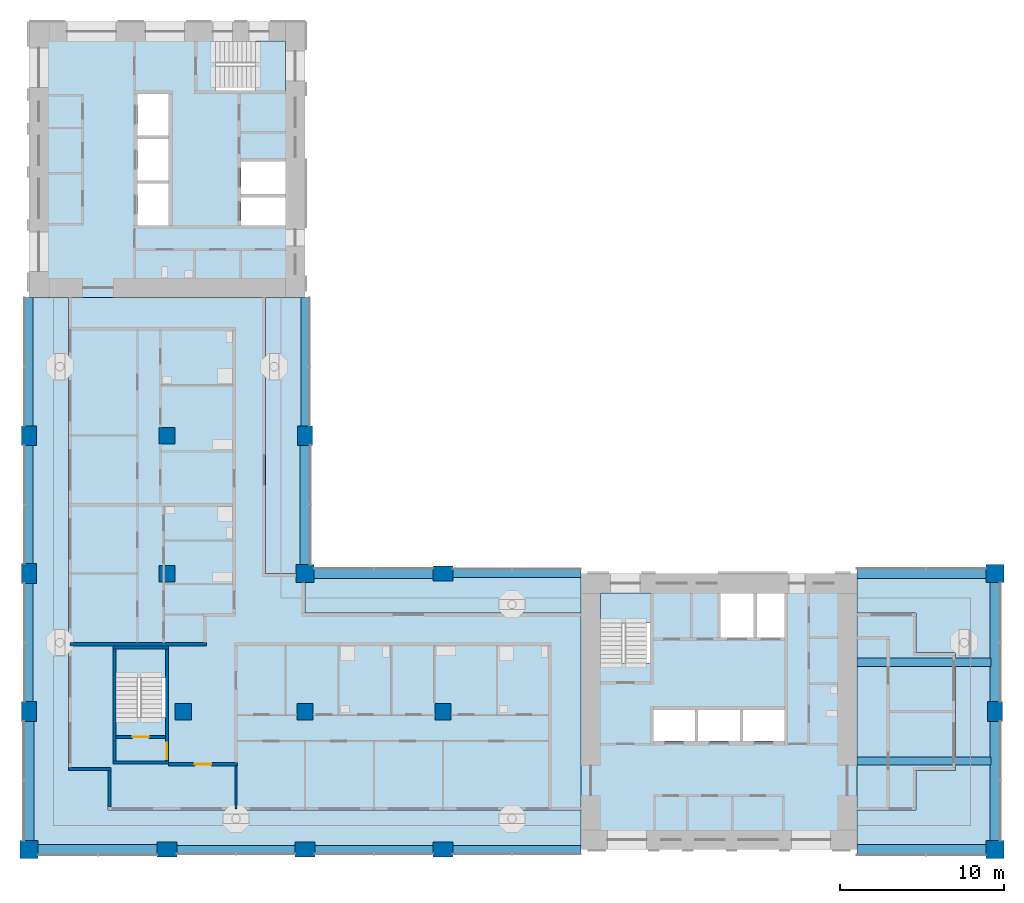
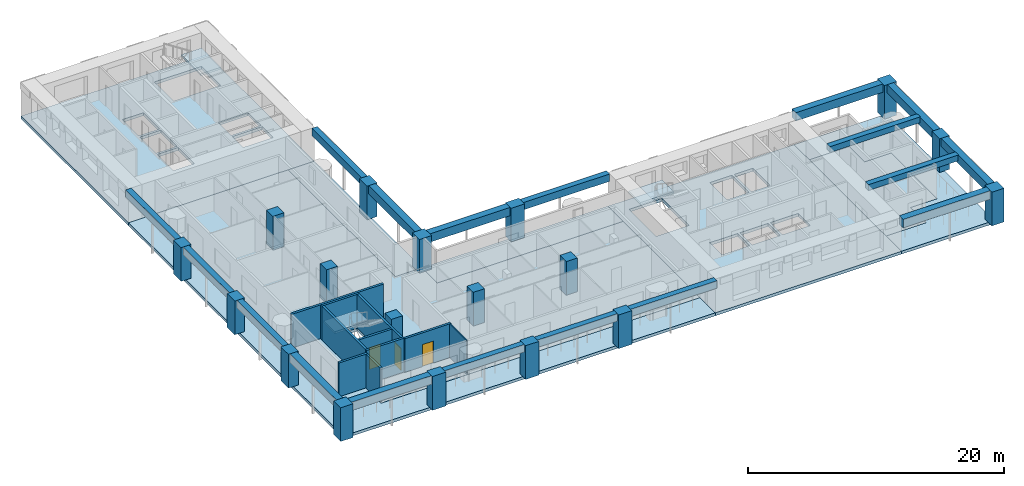
# One storey, part 1 of 13: 18 beams, 18 columns, 12 slabs, 10 walls, 3 doors, 3 openings, 3 elements without a shape of their own.
"""IFC4 building model written with IfcOpenShell, lengths in metres."""

import ifcopenshell
import ifcopenshell.guid

model = None  # the IFC model being written
_history = None  # IfcOwnerHistory: only IFC2X3 demands one
_inside = {}  # id of a spatial element -> (the spatial element, [elements in it])
_under = {}  # id of a project, library or spatial element -> (it, [spatial elements below it])
_declared = {}  # id of a project -> (the project, [libraries it declares])
_typed = {}  # id of a type object -> (the type object, [elements of that type])
_made_of = {}  # id of a material, layer set ... -> (it, [elements and type objects made of it])


def new_model(schema):
    """Start an empty IFC model of exactly this schema.

    Asked for "IFC4X3", IfcOpenShell would pick the latest addendum, in which some entities
    have other attributes; the version numbers below select the first issue.
    IFC2X3 requires an IfcOwnerHistory on every rooted entity: one is made here for all.
    """
    global model, _history
    if schema == "IFC4X3":
        model = ifcopenshell.file(schema_version=(4, 3, 0, 0))
    else:
        model = ifcopenshell.file(schema=schema)
    _inside.clear()
    _under.clear()
    _declared.clear()
    _typed.clear()
    _made_of.clear()
    _history = None
    if model.schema == "IFC2X3":
        org = make("IfcOrganization", Name="unknown")
        user = make(
            "IfcPersonAndOrganization",
            ThePerson=make("IfcPerson", FamilyName="unknown"),
            TheOrganization=org,
        )
        app = make(
            "IfcApplication",
            ApplicationDeveloper=org,
            Version="unknown",
            ApplicationFullName="unknown",
            ApplicationIdentifier="unknown",
        )
        _history = make(
            "IfcOwnerHistory",
            OwningUser=user,
            OwningApplication=app,
            ChangeAction="ADDED",
            CreationDate=0,
        )
    return model


def make(cls, **values):
    """One entity of the class cls with the attributes given. An attribute that is None is left unset."""
    return model.create_entity(
        cls, **{name: value for name, value in values.items() if value is not None}
    )


def rooted(cls, **values):
    """An entity with a GlobalId (a new one), such as an element, a storey or a relation."""
    return make(cls, GlobalId=ifcopenshell.guid.new(), OwnerHistory=_history, **values)


def si_unit(unit_type, name, prefix=None):
    """IfcSIUnit, for example si_unit("LENGTHUNIT", "METRE", prefix="MILLI")."""
    return make("IfcSIUnit", UnitType=unit_type, Prefix=prefix, Name=name)


def assignment(units):
    """IfcUnitAssignment: the units of a project."""
    return None if units is None else make("IfcUnitAssignment", Units=units)


def point(xyz):
    """IfcCartesianPoint."""
    return None if xyz is None else make("IfcCartesianPoint", Coordinates=xyz)


def direction(xyz):
    """IfcDirection."""
    return None if xyz is None else make("IfcDirection", DirectionRatios=xyz)


def frame(location, z_axis=None, x_axis=None):
    """IfcAxis2Placement3D, a coordinate frame: its origin and axes. An axis left out is left unset."""
    return make(
        "IfcAxis2Placement3D",
        Location=point(location),
        Axis=direction(z_axis),
        RefDirection=direction(x_axis),
    )


def frame_2d(location, x_axis=None):
    """IfcAxis2Placement2D, a coordinate frame in the plane: its origin and x axis."""
    return make(
        "IfcAxis2Placement2D", Location=point(location), RefDirection=direction(x_axis)
    )


def origin():
    """The frame at (0, 0, 0) with its axes left unset."""
    return frame((0.0, 0.0, 0.0))


def origin_2d():
    """The frame at (0, 0) in the plane with its x axis left unset."""
    return frame_2d((0.0, 0.0))


def place(relative_to, where):
    """IfcLocalPlacement: puts the frame where relative to a parent placement (None: the world)."""
    return make(
        "IfcLocalPlacement", PlacementRelTo=relative_to, RelativePlacement=where
    )


def context(
    kind, dimensions, precision=None, world=None, true_north=None, identifier=None
):
    """IfcGeometricRepresentationContext, for example the 3D "Model" context."""
    return make(
        "IfcGeometricRepresentationContext",
        ContextIdentifier=identifier,
        ContextType=kind,
        CoordinateSpaceDimension=dimensions,
        Precision=precision,
        WorldCoordinateSystem=world,
        TrueNorth=true_north,
    )


def subcontext(parent, identifier, kind, view, scale=None):
    """IfcGeometricRepresentationSubContext, for example "Body" below "Model"."""
    return make(
        "IfcGeometricRepresentationSubContext",
        ContextIdentifier=identifier,
        ContextType=kind,
        ParentContext=parent,
        TargetScale=scale,
        TargetView=view,
    )


def project(units=None, contexts=None):
    """IfcProject with its units and contexts."""
    return rooted(
        "IfcProject",
        Name="project",
        RepresentationContexts=contexts,
        UnitsInContext=assignment(units),
    )


def spatial(cls, under=None, at=None, **own):
    """A site, building, storey or space (cls), placed at a placement, below another one or the project."""
    s = rooted(cls, ObjectPlacement=at, **own)
    if under is not None:
        _under.setdefault(under.id(), (under, []))[1].append(s)
    return s


def polyline(points):
    """IfcPolyline through the points."""
    return make("IfcPolyline", Points=[point(p) for p in points])


def profile(cls, at=None, kind="AREA", **sizes):
    """A parametric profile (cls). Its sizes go by their IFC names, for example OverallWidth=200.0."""
    return make(cls, ProfileType=kind, Position=at, **sizes)


def rectangle(**sizes):
    """IfcRectangleProfileDef."""
    return profile("IfcRectangleProfileDef", **sizes)


def outline(outer, holes=None, kind="AREA"):
    """IfcArbitraryClosedProfileDef: a profile drawn as a closed curve; with holes, ...WithVoids."""
    if holes is None:
        return make("IfcArbitraryClosedProfileDef", ProfileType=kind, OuterCurve=outer)
    return make(
        "IfcArbitraryProfileDefWithVoids",
        ProfileType=kind,
        OuterCurve=outer,
        InnerCurves=holes,
    )


def extrude(swept, where, along, depth):
    """IfcExtrudedAreaSolid: the profile swept, set in the frame where, extruded along a direction by depth."""
    return make(
        "IfcExtrudedAreaSolid",
        SweptArea=swept,
        Position=where,
        ExtrudedDirection=direction(along),
        Depth=depth,
    )


def shape(context_of_items, identifier, shape_type, items):
    """IfcShapeRepresentation: the items that make up one representation, for example the "Body"."""
    return make(
        "IfcShapeRepresentation",
        ContextOfItems=context_of_items,
        RepresentationIdentifier=identifier,
        RepresentationType=shape_type,
        Items=items,
    )


def material(Name=None, Category=None):
    """IfcMaterial."""
    return make("IfcMaterial", Name=Name, Category=Category)


def layer(
    of_material, thickness, ventilated=None, Name=None, Category=None, Priority=None
):
    """IfcMaterialLayer: one layer of a wall or slab, of a material (None: an air gap)."""
    return make(
        "IfcMaterialLayer",
        Material=of_material,
        LayerThickness=thickness,
        IsVentilated=ventilated,
        Name=Name,
        Category=Category,
        Priority=Priority,
    )


def layer_set(layers, Name=None):
    """IfcMaterialLayerSet."""
    return make("IfcMaterialLayerSet", MaterialLayers=layers, LayerSetName=Name)


def material_profile(
    of_material, cross_section, Name=None, Category=None, Priority=None
):
    """IfcMaterialProfile: a cross section and its material."""
    return make(
        "IfcMaterialProfile",
        Name=Name,
        Material=of_material,
        Profile=cross_section,
        Priority=Priority,
        Category=Category,
    )


def profile_set(profiles, Name=None, composite=None):
    """IfcMaterialProfileSet."""
    return make(
        "IfcMaterialProfileSet",
        Name=Name,
        MaterialProfiles=profiles,
        CompositeProfile=composite,
    )


def made_of(thing, what):
    """Note that an element or type object is made of a material, layer set ...; save() writes the relation."""
    if what is not None:
        _made_of.setdefault(what.id(), (what, []))[1].append(thing)
    return thing


def type_object(cls, material=None, **own):
    """A type object (cls), such as IfcWallType, which elements share."""
    return made_of(rooted(cls, **own), material)


def element(
    cls,
    number,
    at=None,
    inside=None,
    cuts=None,
    type_object=None,
    material=None,
    context=None,
    identifier="Body",
    shape_type=None,
    held_by="IfcProductDefinitionShape",
    body=None,
    shapes=None,
    **own,
):
    """One element of the class cls, such as IfcWall. Its Tag is "e" and its number.

    at: its placement. inside: the storey or other place that contains it. cuts: it is an
    opening in that element (IfcRelVoidsElement). A single representation is given by context,
    identifier, shape_type and body (its items); several are given by shapes. held_by: the class
    of the entity that holds the representations. save() writes the other relations.
    """
    e = rooted(cls, Tag="e%d" % number, ObjectPlacement=at, **own)
    if body is not None:
        shapes = [shape(context, identifier, shape_type, body)]
    if shapes is not None:
        e.Representation = make(held_by, Representations=shapes)
    if inside is not None:
        _inside.setdefault(inside.id(), (inside, []))[1].append(e)
    if cuts is not None:
        rooted(
            "IfcRelVoidsElement", RelatingBuildingElement=cuts, RelatedOpeningElement=e
        )
    if type_object is not None:
        _typed.setdefault(type_object.id(), (type_object, []))[1].append(e)
    return made_of(e, material)


def fill(opening, filler):
    """IfcRelFillsElement: the door or window that sits in an opening."""
    return rooted(
        "IfcRelFillsElement",
        RelatingOpeningElement=opening,
        RelatedBuildingElement=filler,
    )


def aggregate(whole, parts):
    """IfcRelAggregates: a whole, such as a stair, and the parts it consists of."""
    return rooted("IfcRelAggregates", RelatingObject=whole, RelatedObjects=parts)


def save(model, path):
    """Write the relations noted so far, then the file.

    IfcRelAggregates (storeys below a building ...), IfcRelContainedInSpatialStructure (elements
    in a storey), IfcRelDefinesByType, IfcRelAssociatesMaterial and IfcRelDeclares: one each for
    every whole, place, type object, material and project.
    """
    for whole, parts in _under.values():
        aggregate(whole, parts)
    for where, things in _inside.values():
        rooted(
            "IfcRelContainedInSpatialStructure",
            RelatedElements=things,
            RelatingStructure=where,
        )
    for kind, things in _typed.values():
        rooted("IfcRelDefinesByType", RelatedObjects=things, RelatingType=kind)
    for what, things in _made_of.values():
        rooted("IfcRelAssociatesMaterial", RelatedObjects=things, RelatingMaterial=what)
    for by, libraries in _declared.values():
        rooted("IfcRelDeclares", RelatingContext=by, RelatedDefinitions=libraries)
    model.write(path)


model = new_model("IFC4")

# Units and contexts
model_context = context("Model", 3, precision=1e-05, world=origin(), true_north=direction((0.0, 1.0)))
body_context = subcontext(model_context, "Body", "Model", "MODEL_VIEW")
ifc_project = project(units=[si_unit("LENGTHUNIT", "METRE"), si_unit("AREAUNIT", "SQUARE_METRE"), si_unit("VOLUMEUNIT", "CUBIC_METRE"), si_unit("PLANEANGLEUNIT", "RADIAN"), si_unit("MASSUNIT", "GRAM", prefix="KILO")], contexts=[model_context])

# Site, building, storey
site_placement = place(None, origin())
site = spatial("IfcSite", under=ifc_project, at=site_placement, CompositionType="ELEMENT")
building_placement = place(site_placement, origin())
building = spatial("IfcBuilding", under=site, at=building_placement, Name="Vermilion Gate Residences", CompositionType="ELEMENT")
storey_placement = place(building_placement, frame((0.0, 0.0, 154.699951171875)))
storey = spatial("IfcBuildingStorey", under=building, at=storey_placement, Name="L39", CompositionType="ELEMENT", Elevation=154.699951171875)

# Columns
ifc_material_1 = material(Name="Concrete C60", Category="concrete")
ifc_material_profile_1 = material_profile(ifc_material_1, rectangle(XDim=1.0, YDim=1.0, at=origin_2d()), Name="RC-1000x1000")
ifc_profile_set_1 = profile_set([ifc_material_profile_1], Name="Concrete C60")
column_type_1 = type_object("IfcColumnType", Name="RC COLUMN 1000 X 1000 C60", PredefinedType="COLUMN", material=ifc_profile_set_1)
for number, where, z_axis, x_axis, name in (
    (1, (17.800048828125, 16.800048828125, 0.0), (0.0, 0.0, 1.0), (1.0, 0.0, 0.0), "Column 3-C L39"),
    (2, (16.800048828125, 25.199951171875, 0.0), (0.0, 0.0, 1.0), (1.0, 0.0, 0.0), "Column 3-D L39"),
    (3, (16.800048828125, 33.60009765625, 0.0), (0.0, 0.0, 1.0), (1.0, 0.0, 0.0), "Column 3-E L39"),
    (4, (25.199951171875, 16.800048828125, 0.0), (0.0, 0.0, 1.0), (1.0, 0.0, 0.0), "Column 4-C L39"),
    (5, (33.60009765625, 16.800048828125, 0.0), (0.0, 0.0, 1.0), (1.0, 0.0, 0.0), "Column 5-C L39"),
):
    element("IfcColumn", number, at=place(storey_placement, frame(where, z_axis=z_axis, x_axis=x_axis)), inside=storey, type_object=column_type_1, Name=name, PredefinedType="COLUMN", context=body_context, shape_type="SweptSolid", body=[
        extrude(rectangle(XDim=1.0, YDim=1.0, at=origin_2d()), origin(), (0.0, 0.0, 1.0), 3.219970703125),
    ])
ifc_material_2 = material(Name="Concrete C60", Category="concrete")
ifc_material_profile_2 = material_profile(ifc_material_2, rectangle(XDim=1.10009765625, YDim=1.10009765625, at=origin_2d()), Name="RC-1100x1100")
ifc_profile_set_2 = profile_set([ifc_material_profile_2], Name="Concrete C60")
column_type_2 = type_object("IfcColumnType", Name="RC COLUMN 1100 X 1100 C60", PredefinedType="COLUMN", material=ifc_profile_set_2)
for number, where, z_axis, x_axis, name in (
    (6, (8.39990234375, 8.39990234375, 0.0), (0.0, 0.0, 1.0), (1.0, 0.0, 0.0), "Column 2-B L39"),
    (7, (25.199951171875, 25.199951171875, 0.0), (0.0, 0.0, 1.0), (1.0, 0.0, 0.0), "Column 4-D L39"),
    (8, (67.199951171875, 8.39990234375, 0.0), (0.0, 0.0, 1.0), (1.0, 0.0, 0.0), "Column 9-B L39"),
    (9, (67.199951171875, 25.199951171875, 0.0), (0.0, 0.0, 1.0), (1.0, 0.0, 0.0), "Column 9-D L39"),
):
    element("IfcColumn", number, at=place(storey_placement, frame(where, z_axis=z_axis, x_axis=x_axis)), inside=storey, type_object=column_type_2, Name=name, PredefinedType="COLUMN", context=body_context, shape_type="SweptSolid", body=[
        extrude(rectangle(XDim=1.10009765625, YDim=1.10009765625, at=origin_2d()), origin(), (0.0, 0.0, 1.0), 3.219970703125),
    ])
ifc_material_3 = material(Name="Concrete C60", Category="concrete")
ifc_material_profile_3 = material_profile(ifc_material_3, rectangle(XDim=1.199951171875, YDim=0.89990234375, at=origin_2d()), Name="RC-1200x900")
ifc_profile_set_3 = profile_set([ifc_material_profile_3], Name="Concrete C60")
column_type_3 = type_object("IfcColumnType", Name="RC COLUMN 1200 X 900 C60", PredefinedType="COLUMN", material=ifc_profile_set_3)
for number, where, z_axis, x_axis, name in (
    (10, (8.39990234375, 16.800048828125, 0.0), (0.0, 0.0, 1.0), (0.0, 1.0, 0.0), "Column 2-C L39"),
    (11, (8.39990234375, 25.199951171875, 0.0), (0.0, 0.0, 1.0), (0.0, 1.0, 0.0), "Column 2-D L39"),
    (12, (8.39990234375, 33.60009765625, 0.0), (0.0, 0.0, 1.0), (0.0, 1.0, 0.0), "Column 2-E L39"),
    (13, (16.800048828125, 8.39990234375, 0.0), (0.0, 0.0, 1.0), (1.0, 0.0, 0.0), "Column 3-B L39"),
    (14, (25.199951171875, 8.39990234375, 0.0), (0.0, 0.0, 1.0), (1.0, 0.0, 0.0), "Column 4-B L39"),
    (15, (25.199951171875, 33.60009765625, 0.0), (0.0, 0.0, 1.0), (0.0, 1.0, 0.0), "Column 4-E L39"),
    (16, (33.60009765625, 8.39990234375, 0.0), (0.0, 0.0, 1.0), (1.0, 0.0, 0.0), "Column 5-B L39"),
    (17, (33.60009765625, 25.199951171875, 0.0), (0.0, 0.0, 1.0), (1.0, 0.0, 0.0), "Column 5-D L39"),
    (18, (67.199951171875, 16.800048828125, 0.0), (0.0, 0.0, 1.0), (0.0, 1.0, 0.0), "Column 9-C L39"),
):
    element("IfcColumn", number, at=place(storey_placement, frame(where, z_axis=z_axis, x_axis=x_axis)), inside=storey, type_object=column_type_3, Name=name, PredefinedType="COLUMN", context=body_context, shape_type="SweptSolid", body=[
        extrude(rectangle(XDim=1.199951171875, YDim=0.89990234375, at=origin_2d()), origin(), (0.0, 0.0, 1.0), 3.219970703125),
    ])

# Beams
ifc_material_4 = material(Name="Concrete C60 red-oxide pigmented", Category="concrete")
ifc_material_profile_4 = material_profile(ifc_material_4, rectangle(XDim=0.60009765625, YDim=0.800048828125, at=origin_2d()), Name="RC-600x800")
ifc_profile_set_4 = profile_set([ifc_material_profile_4], Name="Concrete C60 red-oxide pigmented")
beam_type_1 = type_object("IfcBeamType", Name="RC CORNER EDGE BEAM 600 X 800 C60", PredefinedType="BEAM", material=ifc_profile_set_4)
for number, where, z_axis, x_axis, name in (
    (19, (8.949951171875, 8.39990234375, 2.820068359375), (1.0, 0.0, 0.0), (0.0, 1.0, 0.0), "Corner edge beam L39 1"),
    (20, (8.39990234375, 8.949951171875, 2.820068359375), (0.0, 1.0, 0.0), (-1.0, 0.0, 0.0), "Corner edge beam L39 2"),
    (21, (25.199951171875, 25.75, 2.820068359375), (0.0, 1.0, 0.0), (-1.0, 0.0, 0.0), "Corner edge beam L39 7"),
    (22, (25.75, 25.199951171875, 2.820068359375), (1.0, 0.0, 0.0), (0.0, 1.0, 0.0), "Corner edge beam L39 10"),
):
    element("IfcBeam", number, at=place(storey_placement, frame(where, z_axis=z_axis, x_axis=x_axis)), inside=storey, type_object=beam_type_1, Name=name, PredefinedType="BEAM", context=body_context, shape_type="SweptSolid", body=[
        extrude(rectangle(XDim=0.60009765625, YDim=0.800048828125, at=origin_2d()), origin(), (0.0, 0.0, 1.0), 7.25),
    ])
beam_1_placement = place(storey_placement, frame((58.800048828125, 8.39990234375, 2.820068359375), z_axis=(1.0, 0.0, 0.0), x_axis=(0.0, 1.0, 0.0)))
element("IfcBeam", 23, at=beam_1_placement, inside=storey, type_object=beam_type_1, Name="Corner edge beam L39 13", PredefinedType="BEAM", context=body_context, shape_type="SweptSolid", body=[
    extrude(rectangle(XDim=0.60009765625, YDim=0.800048828125, at=origin_2d()), origin(), (0.0, 0.0, 1.0), 7.849853515625),
])
for number, where, z_axis, x_axis, name in (
    (24, (67.199951171875, 8.949951171875, 2.820068359375), (0.0, 1.0, 0.0), (-1.0, 0.0, 0.0), "Corner edge beam L39 14"),
    (25, (67.199951171875, 17.39990234375, 2.820068359375), (0.0, 1.0, 0.0), (-1.0, 0.0, 0.0), "Corner edge beam L39 15"),
):
    element("IfcBeam", number, at=place(storey_placement, frame(where, z_axis=z_axis, x_axis=x_axis)), inside=storey, type_object=beam_type_1, Name=name, PredefinedType="BEAM", context=body_context, shape_type="SweptSolid", body=[
        extrude(rectangle(XDim=0.60009765625, YDim=0.800048828125, at=origin_2d()), origin(), (0.0, 0.0, 1.0), 7.25),
    ])
beam_2_placement = place(storey_placement, frame((58.800048828125, 25.199951171875, 2.820068359375), z_axis=(1.0, 0.0, 0.0), x_axis=(0.0, 1.0, 0.0)))
element("IfcBeam", 26, at=beam_2_placement, inside=storey, type_object=beam_type_1, Name="Corner edge beam L39 16", PredefinedType="BEAM", context=body_context, shape_type="SweptSolid", body=[
    extrude(rectangle(XDim=0.60009765625, YDim=0.800048828125, at=origin_2d()), origin(), (0.0, 0.0, 1.0), 7.849853515625),
])
ifc_material_5 = material(Name="Concrete C60 red-oxide pigmented", Category="concrete")
ifc_material_profile_5 = material_profile(ifc_material_5, rectangle(XDim=0.5, YDim=0.699951171875, at=origin_2d()), Name="RC-500x700")
ifc_profile_set_5 = profile_set([ifc_material_profile_5], Name="Concrete C60 red-oxide pigmented")
beam_type_2 = type_object("IfcBeamType", Name="RC EDGE BEAM 500 X 700 C60", PredefinedType="BEAM", material=ifc_profile_set_5)
beam_3_placement = place(storey_placement, frame((8.39990234375, 17.39990234375, 2.8701171875), z_axis=(0.0, 1.0, 0.0), x_axis=(-1.0, 0.0, 0.0)))
element("IfcBeam", 27, at=beam_3_placement, inside=storey, type_object=beam_type_2, Name="Edge beam L39 3", PredefinedType="BEAM", context=body_context, shape_type="SweptSolid", body=[
    extrude(rectangle(XDim=0.5, YDim=0.699951171875, at=origin_2d()), origin(), (0.0, 0.0, 1.0), 7.2001953125),
])
beam_4_placement = place(storey_placement, frame((8.39990234375, 25.800048828125, 2.8701171875), z_axis=(0.0, 1.0, 0.0), x_axis=(-1.0, 0.0, 0.0)))
element("IfcBeam", 28, at=beam_4_placement, inside=storey, type_object=beam_type_2, Name="Edge beam L39 4", PredefinedType="BEAM", context=body_context, shape_type="SweptSolid", body=[
    extrude(rectangle(XDim=0.5, YDim=0.699951171875, at=origin_2d()), origin(), (0.0, 0.0, 1.0), 7.199951171875),
])
beam_5_placement = place(storey_placement, frame((8.39990234375, 34.199951171875, 2.8701171875), z_axis=(0.0, 1.0, 0.0), x_axis=(-1.0, 0.0, 0.0)))
element("IfcBeam", 29, at=beam_5_placement, inside=storey, type_object=beam_type_2, Name="Edge beam L39 5", PredefinedType="BEAM", context=body_context, shape_type="SweptSolid", body=[
    extrude(rectangle(XDim=0.5, YDim=0.699951171875, at=origin_2d()), origin(), (0.0, 0.0, 1.0), 7.800048828125),
])
beam_6_placement = place(storey_placement, frame((17.39990234375, 8.39990234375, 2.8701171875), z_axis=(1.0, 0.0, 0.0), x_axis=(0.0, 1.0, 0.0)))
element("IfcBeam", 30, at=beam_6_placement, inside=storey, type_object=beam_type_2, Name="Edge beam L39 6", PredefinedType="BEAM", context=body_context, shape_type="SweptSolid", body=[
    extrude(rectangle(XDim=0.5, YDim=0.699951171875, at=origin_2d()), origin(), (0.0, 0.0, 1.0), 7.2001953125),
])
beam_7_placement = place(storey_placement, frame((25.199951171875, 34.199951171875, 2.8701171875), z_axis=(0.0, 1.0, 0.0), x_axis=(-1.0, 0.0, 0.0)))
element("IfcBeam", 31, at=beam_7_placement, inside=storey, type_object=beam_type_2, Name="Edge beam L39 8", PredefinedType="BEAM", context=body_context, shape_type="SweptSolid", body=[
    extrude(rectangle(XDim=0.5, YDim=0.699951171875, at=origin_2d()), origin(), (0.0, 0.0, 1.0), 7.800048828125),
])
beam_8_placement = place(storey_placement, frame((25.800048828125, 8.39990234375, 2.8701171875), z_axis=(1.0, 0.0, 0.0), x_axis=(0.0, 1.0, 0.0)))
element("IfcBeam", 32, at=beam_8_placement, inside=storey, type_object=beam_type_2, Name="Edge beam L39 9", PredefinedType="BEAM", context=body_context, shape_type="SweptSolid", body=[
    extrude(rectangle(XDim=0.5, YDim=0.699951171875, at=origin_2d()), origin(), (0.0, 0.0, 1.0), 7.199951171875),
])
for number, where, z_axis, x_axis, name in (
    (33, (34.199951171875, 8.39990234375, 2.8701171875), (1.0, 0.0, 0.0), (0.0, 1.0, 0.0), "Edge beam L39 11"),
    (34, (34.199951171875, 25.199951171875, 2.8701171875), (1.0, 0.0, 0.0), (0.0, 1.0, 0.0), "Edge beam L39 12"),
):
    element("IfcBeam", number, at=place(storey_placement, frame(where, z_axis=z_axis, x_axis=x_axis)), inside=storey, type_object=beam_type_2, Name=name, PredefinedType="BEAM", context=body_context, shape_type="SweptSolid", body=[
        extrude(rectangle(XDim=0.5, YDim=0.699951171875, at=origin_2d()), origin(), (0.0, 0.0, 1.0), 7.800048828125),
    ])
ifc_material_6 = material(Name="Concrete C60", Category="concrete")
ifc_material_profile_6 = material_profile(ifc_material_6, rectangle(XDim=0.5, YDim=0.550048828125, at=origin_2d()), Name="RC-500x550")
ifc_profile_set_6 = profile_set([ifc_material_profile_6], Name="Concrete C60")
beam_type_3 = type_object("IfcBeamType", Name="RC WING BEAM 500 X 550 C60", PredefinedType="BEAM", material=ifc_profile_set_6)
for number, where, z_axis, x_axis, name in (
    (35, (58.800048828125, 13.800048828125, 2.945068359375), (1.0, 0.0, 0.0), (0.0, 1.0, 0.0), "Wing-end beam L39 1"),
    (36, (58.800048828125, 19.800048828125, 2.945068359375), (1.0, 0.0, 0.0), (0.0, 1.0, 0.0), "Wing-end beam L39 2"),
):
    element("IfcBeam", number, at=place(storey_placement, frame(where, z_axis=z_axis, x_axis=x_axis)), inside=storey, type_object=beam_type_3, Name=name, PredefinedType="BEAM", context=body_context, shape_type="SweptSolid", body=[
        extrude(rectangle(XDim=0.5, YDim=0.550048828125, at=origin_2d()), origin(), (0.0, 0.0, 1.0), 8.14990234375),
    ])

# Slabs
ifc_material_7 = material(Name="Concrete C50", Category="concrete")
ifc_layer_1 = layer(ifc_material_7, 0.280029296875)
ifc_layer_set_1 = layer_set([ifc_layer_1], Name="RC CORE FLOOR SLAB 280 C50")
slab_type_1 = type_object("IfcSlabType", Name="RC CORE FLOOR SLAB 280 C50", PredefinedType="FLOOR", material=ifc_layer_set_1)
slab_1_placement = place(storey_placement, frame((0.0, 0.0, -0.280029296875)))
element("IfcSlab", 37, at=slab_1_placement, inside=storey, type_object=slab_type_1, Name="Core floor slab A39", PredefinedType="FLOOR", context=body_context, shape_type="SweptSolid", body=[
    extrude(outline(polyline([(42.0, 8.39990234375), (58.800048828125, 8.39990234375), (58.800048828125, 25.199951171875), (42.0, 25.199951171875), (42.0, 8.39990234375)]), holes=[polyline([(46.39990234375, 15.0), (46.39990234375, 16.89990234375), (48.933349609375, 16.89990234375), (48.933349609375, 15.0), (46.39990234375, 15.0)]), polyline([(49.13330078125, 16.89990234375), (51.666748046875, 16.89990234375), (51.666748046875, 15.0), (49.13330078125, 15.0), (49.13330078125, 16.89990234375)]), polyline([(51.86669921875, 16.89990234375), (54.39990234375, 16.89990234375), (54.39990234375, 15.0), (51.86669921875, 15.0), (51.86669921875, 16.89990234375)]), polyline([(43.199951171875, 19.75), (43.199951171875, 24.0), (46.199951171875, 24.0), (46.199951171875, 19.75), (43.199951171875, 19.75)]), polyline([(50.5, 24.0), (52.5, 24.0), (52.5, 21.300048828125), (50.5, 21.300048828125), (50.5, 24.0)]), polyline([(52.699951171875, 24.0), (54.39990234375, 24.0), (54.39990234375, 21.300048828125), (52.699951171875, 21.300048828125), (52.699951171875, 24.0)])]), origin(), (0.0, 0.0, 1.0), 0.280029296875),
])
slab_2_placement = place(storey_placement, frame((0.0, 0.0, -0.280029296875)))
element("IfcSlab", 38, at=slab_2_placement, inside=storey, type_object=slab_type_1, Name="Core floor slab B39", PredefinedType="FLOOR", context=body_context, shape_type="SweptSolid", body=[
    extrude(outline(polyline([(8.39990234375, 42.0), (25.199951171875, 42.0), (25.199951171875, 58.800048828125), (8.39990234375, 58.800048828125), (8.39990234375, 42.0)]), holes=[polyline([(21.300048828125, 46.39990234375), (21.300048828125, 48.10009765625), (24.0, 48.10009765625), (24.0, 46.39990234375), (21.300048828125, 46.39990234375)]), polyline([(15.0, 48.933349609375), (16.89990234375, 48.933349609375), (16.89990234375, 46.39990234375), (15.0, 46.39990234375), (15.0, 48.933349609375)]), polyline([(21.300048828125, 50.300048828125), (24.0, 50.300048828125), (24.0, 48.300048828125), (21.300048828125, 48.300048828125), (21.300048828125, 50.300048828125)]), polyline([(15.0, 49.13330078125), (15.0, 51.666748046875), (16.89990234375, 51.666748046875), (16.89990234375, 49.13330078125), (15.0, 49.13330078125)]), polyline([(15.0, 54.39990234375), (16.89990234375, 54.39990234375), (16.89990234375, 51.86669921875), (15.0, 51.86669921875), (15.0, 54.39990234375)]), polyline([(19.75, 57.60009765625), (24.0, 57.60009765625), (24.0, 54.60009765625), (19.75, 54.60009765625), (19.75, 57.60009765625)])]), origin(), (0.0, 0.0, 1.0), 0.280029296875),
])
slab_3_placement = place(storey_placement, frame((0.0, 0.0, -0.280029296875)))
element("IfcSlab", 39, at=slab_3_placement, inside=storey, type_object=slab_type_1, Name="Apex stair floor slab 39", PredefinedType="FLOOR", context=body_context, shape_type="SweptSolid", body=[
    extrude(outline(polyline([(13.5, 13.60009765625), (16.89990234375, 13.60009765625), (16.89990234375, 20.800048828125), (13.5, 20.800048828125), (13.5, 13.60009765625)]), holes=[polyline([(16.699951171875, 20.60009765625), (16.699951171875, 16.449951171875), (13.699951171875, 16.449951171875), (13.699951171875, 20.60009765625), (16.699951171875, 20.60009765625)])]), origin(), (0.0, 0.0, 1.0), 0.280029296875),
])
ifc_material_8 = material(Name="Concrete C50", Category="concrete")
ifc_layer_2 = layer(ifc_material_8, 0.280029296875)
ifc_layer_set_2 = layer_set([ifc_layer_2], Name="RC FLAT PLATE 280 C50")
slab_type_2 = type_object("IfcSlabType", Name="RC FLAT PLATE 280 C50", PredefinedType="FLOOR", material=ifc_layer_set_2)
slab_4_placement = place(storey_placement, frame((0.0, 0.0, -0.280029296875)))
element("IfcSlab", 40, at=slab_4_placement, inside=storey, type_object=slab_type_2, Name="Floor slab L39", PredefinedType="FLOOR", context=body_context, shape_type="SweptSolid", body=[
    extrude(outline(polyline([(22.800048828125, 25.199951171875), (22.800048828125, 42.0), (10.800048828125, 42.0), (10.800048828125, 13.199951171875), (13.199951171875, 13.199951171875), (13.199951171875, 10.800048828125), (42.0, 10.800048828125), (42.0, 22.800048828125), (25.199951171875, 22.800048828125), (25.199951171875, 25.199951171875), (22.800048828125, 25.199951171875)]), holes=[polyline([(13.5, 13.60009765625), (13.5, 20.800048828125), (16.89990234375, 20.800048828125), (16.89990234375, 13.60009765625), (13.5, 13.60009765625)])]), origin(), (0.0, 0.0, 1.0), 0.280029296875),
])
slab_5_placement = place(storey_placement, frame((0.0, 0.0, -0.280029296875)))
element("IfcSlab", 41, at=slab_5_placement, inside=storey, type_object=slab_type_2, Name="Floor slab L39", PredefinedType="FLOOR", context=body_context, shape_type="SweptSolid", body=[
    extrude(outline(polyline([(58.800048828125, 22.800048828125), (58.800048828125, 10.800048828125), (62.39990234375, 10.800048828125), (62.39990234375, 13.199951171875), (64.800048828125, 13.199951171875), (64.800048828125, 20.39990234375), (62.39990234375, 20.39990234375), (62.39990234375, 22.800048828125), (58.800048828125, 22.800048828125)])), origin(), (0.0, 0.0, 1.0), 0.280029296875),
])
ifc_material_9 = material(Name="Concrete C50 red-oxide pigmented", Category="concrete")
ifc_layer_3 = layer(ifc_material_9, 0.280029296875)
ifc_layer_set_3 = layer_set([ifc_layer_3], Name="RC LOGGIA SLAB 280 C50")
slab_type_3 = type_object("IfcSlabType", Name="RC LOGGIA SLAB 280 C50", PredefinedType="FLOOR", material=ifc_layer_set_3)
slab_6_placement = place(storey_placement, frame((0.0, 0.0, -0.280029296875)))
element("IfcSlab", 42, at=slab_6_placement, inside=storey, type_object=slab_type_3, Name="Loggia slab L39", PredefinedType="FLOOR", context=body_context, shape_type="SweptSolid", body=[
    extrude(outline(polyline([(8.39990234375, 42.0), (8.39990234375, 8.39990234375), (42.0, 8.39990234375), (42.0, 10.800048828125), (13.199951171875, 10.800048828125), (13.199951171875, 13.199951171875), (10.800048828125, 13.199951171875), (10.800048828125, 42.0), (8.39990234375, 42.0)])), origin(), (0.0, 0.0, 1.0), 0.280029296875),
])
slab_7_placement = place(storey_placement, frame((0.0, 0.0, -0.280029296875)))
element("IfcSlab", 43, at=slab_7_placement, inside=storey, type_object=slab_type_3, Name="Loggia slab L39", PredefinedType="FLOOR", context=body_context, shape_type="SweptSolid", body=[
    extrude(outline(polyline([(64.800048828125, 13.199951171875), (62.39990234375, 13.199951171875), (62.39990234375, 10.800048828125), (58.800048828125, 10.800048828125), (58.800048828125, 8.39990234375), (67.199951171875, 8.39990234375), (67.199951171875, 25.199951171875), (58.800048828125, 25.199951171875), (58.800048828125, 22.800048828125), (62.39990234375, 22.800048828125), (62.39990234375, 20.39990234375), (64.800048828125, 20.39990234375), (64.800048828125, 13.199951171875)])), origin(), (0.0, 0.0, 1.0), 0.280029296875),
])
slab_8_placement = place(storey_placement, frame((0.0, 0.0, -0.280029296875)))
element("IfcSlab", 44, at=slab_8_placement, inside=storey, type_object=slab_type_3, Name="Loggia slab L39", PredefinedType="FLOOR", context=body_context, shape_type="SweptSolid", body=[
    extrude(outline(polyline([(42.0, 25.199951171875), (25.199951171875, 25.199951171875), (25.199951171875, 22.800048828125), (42.0, 22.800048828125), (42.0, 25.199951171875)])), origin(), (0.0, 0.0, 1.0), 0.280029296875),
])
slab_9_placement = place(storey_placement, frame((0.0, 0.0, -0.280029296875)))
element("IfcSlab", 45, at=slab_9_placement, inside=storey, type_object=slab_type_3, Name="Loggia slab L39", PredefinedType="FLOOR", context=body_context, shape_type="SweptSolid", body=[
    extrude(outline(polyline([(22.800048828125, 42.0), (22.800048828125, 25.199951171875), (25.199951171875, 25.199951171875), (25.199951171875, 42.0), (22.800048828125, 42.0)])), origin(), (0.0, 0.0, 1.0), 0.280029296875),
])

# Stair, slab
ifc_material_10 = material(Name="Concrete C50", Category="concrete")
stair_type = type_object("IfcStairType", Name="SPECIAL ESCAPE STAIR 1300", PredefinedType="HALF_TURN_STAIR", material=ifc_material_10)
stair_1_placement = place(storey_placement, origin())
stair_1 = element("IfcStair", 46, at=stair_1_placement, inside=storey, type_object=stair_type, Name="Special escape stair STA1-39", PredefinedType="HALF_TURN_STAIR")
ifc_material_11 = material(Name="Concrete C50", Category="concrete")
ifc_layer_4 = layer(ifc_material_11, 0.199951171875)
ifc_layer_set_4 = layer_set([ifc_layer_4], Name="STAIR LANDING 200 C50")
slab_type_4 = type_object("IfcSlabType", Name="STAIR LANDING 200 C50", PredefinedType="LANDING", material=ifc_layer_set_4)
slab_10_placement = place(storey_placement, frame((0.0, 0.0, 1.550048828125)))
slab_10 = element("IfcSlab", 47, at=slab_10_placement, type_object=slab_type_4, Name="STA1-39 landing 1", PredefinedType="LANDING", context=body_context, shape_type="SweptSolid", body=[
    extrude(outline(polyline([(46.219970703125, 22.179931640625), (46.219970703125, 24.02001953125), (43.179931640625, 24.02001953125), (43.179931640625, 22.179931640625), (46.219970703125, 22.179931640625)])), origin(), (0.0, 0.0, 1.0), 0.199951171875),
])
aggregate(stair_1, [slab_10])

stair_2_placement = place(storey_placement, origin())
stair_2 = element("IfcStair", 48, at=stair_2_placement, inside=storey, type_object=stair_type, Name="Special escape stair STB1-39", PredefinedType="HALF_TURN_STAIR")
slab_11_placement = place(storey_placement, frame((0.0, 0.0, 1.550048828125)))
slab_11 = element("IfcSlab", 49, at=slab_11_placement, type_object=slab_type_4, Name="STB1-39 landing 1", PredefinedType="LANDING", context=body_context, shape_type="SweptSolid", body=[
    extrude(outline(polyline([(24.02001953125, 54.580078125), (24.02001953125, 57.6201171875), (22.179931640625, 57.6201171875), (22.179931640625, 54.580078125), (24.02001953125, 54.580078125)])), origin(), (0.0, 0.0, 1.0), 0.199951171875),
])
aggregate(stair_2, [slab_11])

stair_3_placement = place(storey_placement, origin())
stair_3 = element("IfcStair", 50, at=stair_3_placement, inside=storey, type_object=stair_type, Name="Special escape stair STC1-39", PredefinedType="HALF_TURN_STAIR")
slab_12_placement = place(storey_placement, frame((0.0, 0.0, 1.550048828125)))
slab_12 = element("IfcSlab", 51, at=slab_12_placement, type_object=slab_type_4, Name="STC1-39 landing 1", PredefinedType="LANDING", context=body_context, shape_type="SweptSolid", body=[
    extrude(outline(polyline([(16.719970703125, 18.8798828125), (16.719970703125, 20.6201171875), (13.679931640625, 20.6201171875), (13.679931640625, 18.8798828125), (16.719970703125, 18.8798828125)])), origin(), (0.0, 0.0, 1.0), 0.199951171875),
])
aggregate(stair_3, [slab_12])

# Walls
ifc_material_12 = material(Name="Insulated steel stud wall with terracotta rainscreen", Category="masonry")
ifc_layer_5 = layer(ifc_material_12, 0.199951171875)
ifc_layer_set_5 = layer_set([ifc_layer_5], Name="EXTERNAL WALL 200 TERRACOTTA RAINSCREEN")
wall_type_1 = type_object("IfcWallType", Name="EXTERNAL WALL 200 TERRACOTTA RAINSCREEN", PredefinedType="SOLIDWALL", material=ifc_layer_set_5)
wall_1_placement = place(storey_placement, frame((10.800048828125, 13.300048828125, 0.0), z_axis=(0.0, 0.0, 1.0), x_axis=(1.0, 0.0, 0.0)))
element("IfcWall", 52, at=wall_1_placement, inside=storey, type_object=wall_type_1, Name="External wall", PredefinedType="SOLIDWALL", context=body_context, shape_type="SweptSolid", body=[
    extrude(rectangle(XDim=2.599853515625, YDim=0.199951171875, at=frame_2d((1.2998046875, 0.0))), origin(), (0.0, 0.0, 1.0), 3.219970703125),
])
wall_2_placement = place(storey_placement, frame((13.300048828125, 13.199951171875, 0.0), z_axis=(0.0, 0.0, 1.0), x_axis=(0.0, -1.0, 0.0)))
element("IfcWall", 53, at=wall_2_placement, inside=storey, type_object=wall_type_1, Name="External wall", PredefinedType="SOLIDWALL", context=body_context, shape_type="SweptSolid", body=[
    extrude(rectangle(XDim=2.199951171875, YDim=0.199951171875, at=frame_2d((1.10009765625, 0.0))), origin(), (0.0, 0.0, 1.0), 3.219970703125),
])
ifc_material_13 = material(Name="Plasterboard on steel studs", Category="steel")
ifc_layer_6 = layer(ifc_material_13, 0.10009765625)
ifc_layer_set_6 = layer_set([ifc_layer_6], Name="PARTITION 100")
wall_type_2 = type_object("IfcWallType", Name="PARTITION 100", PredefinedType="PARTITIONING", material=ifc_layer_set_6)
wall_3_placement = place(storey_placement, frame((21.0, 10.89990234375, 0.0), z_axis=(0.0, 0.0, 1.0), x_axis=(0.0, 1.0, 0.0)))
element("IfcWall", 54, at=wall_3_placement, inside=storey, type_object=wall_type_2, Name="Partition", PredefinedType="PARTITIONING", context=body_context, shape_type="SweptSolid", body=[
    extrude(rectangle(XDim=2.60009765625, YDim=0.10009765625, at=frame_2d((1.300048828125, 0.0))), origin(), (0.0, 0.0, 1.0), 3.219970703125),
])

# Wall, opening, door
ifc_material_14 = material(Name="Fire-rated plasterboard on steel studs", Category="steel")
ifc_layer_7 = layer(ifc_material_14, 0.199951171875)
ifc_layer_set_7 = layer_set([ifc_layer_7], Name="PARTY WALL 200 EI 120")
wall_type_3 = type_object("IfcWallType", Name="PARTY WALL 200 EI 120", PredefinedType="PARTITIONING", material=ifc_layer_set_7)
wall_4_placement = place(storey_placement, frame((16.89990234375, 13.60009765625, 0.0), z_axis=(0.0, 0.0, 1.0), x_axis=(1.0, 0.0, 0.0)))
wall_4 = element("IfcWall", 55, at=wall_4_placement, inside=storey, type_object=wall_type_3, Name="Party and corridor wall", PredefinedType="PARTITIONING", context=body_context, shape_type="SweptSolid", body=[
    extrude(rectangle(XDim=4.2001953125, YDim=0.199951171875, at=frame_2d((2.10009765625, 0.0))), origin(), (0.0, 0.0, 1.0), 3.219970703125),
])
opening_1_placement = place(wall_4_placement, frame((1.60009765625, 0.0, 0.0)))
opening_1 = element("IfcOpeningElement", 56, at=opening_1_placement, cuts=wall_4, Name="Opening DA37001", PredefinedType="OPENING", context=body_context, shape_type="SweptSolid", body=[
    extrude(rectangle(XDim=1.0, YDim=2.10009765625, at=frame_2d((0.5, 1.050048828125))), frame((0.0, 0.10986328125, 0.0), z_axis=(0.0, -1.0, 0.0), x_axis=(1.0, 0.0, 0.0)), (0.0, 0.0, 1.0), 0.219970703125),
])
ifc_material_15 = material(Name="Steel", Category="steel")
door_type_1 = type_object("IfcDoorType", Name="ENTRANCE DOOR 1000 X 2100 FD30", OperationType="SINGLE_SWING_LEFT", PredefinedType="DOOR", material=ifc_material_15)
door_1_placement = place(opening_1_placement, frame((1.0, 0.0, 0.0), z_axis=(0.0, 0.0, 1.0), x_axis=(-1.0, 0.0, 0.0)))
door_1 = element("IfcDoor", 57, at=door_1_placement, inside=storey, type_object=door_type_1, Name="Entrance door", OperationType="SINGLE_SWING_LEFT", OverallHeight=2.10009765625, OverallWidth=1.0, PredefinedType="DOOR", context=body_context, shape_type="SweptSolid", body=[
    extrude(rectangle(XDim=1.0, YDim=2.10009765625, at=frame_2d((0.5, 1.050048828125))), frame((0.0, 0.02490234375, 0.0), z_axis=(0.0, -1.0, 0.0), x_axis=(1.0, 0.0, 0.0)), (0.0, 0.0, 1.0), 0.050048828125),
])
fill(opening_1, door_1)

# Walls
wall_5_placement = place(storey_placement, frame((10.89990234375, 20.89990234375, 0.0), z_axis=(0.0, 0.0, 1.0), x_axis=(1.0, 0.0, 0.0)))
element("IfcWall", 58, at=wall_5_placement, inside=storey, type_object=wall_type_3, Name="Party and corridor wall", PredefinedType="PARTITIONING", context=body_context, shape_type="SweptSolid", body=[
    extrude(rectangle(XDim=8.300048828125, YDim=0.199951171875, at=frame_2d((4.14990234375, 0.0))), origin(), (0.0, 0.0, 1.0), 3.219970703125),
])
ifc_material_16 = material(Name="Concrete C60", Category="concrete")
ifc_layer_8 = layer(ifc_material_16, 0.199951171875)
ifc_layer_set_8 = layer_set([ifc_layer_8], Name="RC CORE INTERNAL WALL 200 C60")
wall_type_4 = type_object("IfcWallType", Name="RC CORE INTERNAL WALL 200 C60", PredefinedType="SHEAR", material=ifc_layer_set_8)
wall_6_placement = place(storey_placement, frame((13.60009765625, 13.800048828125, 0.0), z_axis=(0.0, 0.0, 1.0), x_axis=(0.0, 1.0, 0.0)))
element("IfcWall", 59, at=wall_6_placement, inside=storey, type_object=wall_type_4, Name="Core internal wall C39-W", PredefinedType="SHEAR", context=body_context, shape_type="SweptSolid", body=[
    extrude(rectangle(XDim=6.800048828125, YDim=0.199951171875, at=frame_2d((3.39990234375, 0.0))), origin(), (0.0, 0.0, 1.0), 3.219970703125),
])

# Wall, opening, door
wall_7_placement = place(storey_placement, frame((16.800048828125, 13.800048828125, 0.0), z_axis=(0.0, 0.0, 1.0), x_axis=(0.0, 1.0, 0.0)))
wall_7 = element("IfcWall", 60, at=wall_7_placement, inside=storey, type_object=wall_type_4, Name="Core internal wall C39-E", PredefinedType="SHEAR", context=body_context, shape_type="SweptSolid", body=[
    extrude(rectangle(XDim=6.800048828125, YDim=0.199951171875, at=frame_2d((3.39990234375, 0.0))), origin(), (0.0, 0.0, 1.0), 3.219970703125),
])
opening_2_placement = place(wall_7_placement, frame((0.10009765625, 0.0, 0.0)))
opening_2 = element("IfcOpeningElement", 61, at=opening_2_placement, cuts=wall_7, Name="Opening DK39201", PredefinedType="OPENING", context=body_context, shape_type="SweptSolid", body=[
    extrude(rectangle(XDim=1.0, YDim=2.10009765625, at=frame_2d((0.5, 1.050048828125))), frame((0.0, 0.10986328125, 0.0), z_axis=(0.0, -1.0, 0.0), x_axis=(1.0, 0.0, 0.0)), (0.0, 0.0, 1.0), 0.219970703125),
])
ifc_material_17 = material(Name="Steel", Category="steel")
door_type_2 = type_object("IfcDoorType", Name="FIRE DOOR FD60 1000 X 2100", OperationType="SINGLE_SWING_LEFT", PredefinedType="DOOR", material=ifc_material_17)
door_2_placement = place(opening_2_placement, frame((1.0, 0.0, 0.0), z_axis=(0.0, 0.0, 1.0), x_axis=(-1.0, 0.0, 0.0)))
door_2 = element("IfcDoor", 62, at=door_2_placement, inside=storey, type_object=door_type_2, Name="Stair vestibule door C39", OperationType="SINGLE_SWING_RIGHT", OverallHeight=2.10009765625, OverallWidth=1.0, PredefinedType="DOOR", context=body_context, shape_type="SweptSolid", body=[
    extrude(rectangle(XDim=1.0, YDim=2.10009765625, at=frame_2d((0.5, 1.050048828125))), frame((0.0, 0.02490234375, 0.0), z_axis=(0.0, -1.0, 0.0), x_axis=(1.0, 0.0, 0.0)), (0.0, 0.0, 1.0), 0.050048828125),
])
fill(opening_2, door_2)

# Walls
for number, where, z_axis, x_axis, name in (
    (63, (13.5, 13.699951171875, 0.0), (0.0, 0.0, 1.0), (1.0, 0.0, 0.0), "Core internal wall C39-S"),
    (64, (13.5, 20.699951171875, 0.0), (0.0, 0.0, 1.0), (1.0, 0.0, 0.0), "Core internal wall C39-N"),
):
    element("IfcWall", number, at=place(storey_placement, frame(where, z_axis=z_axis, x_axis=x_axis)), inside=storey, type_object=wall_type_4, Name=name, PredefinedType="SHEAR", context=body_context, shape_type="SweptSolid", body=[
        extrude(rectangle(XDim=3.39990234375, YDim=0.199951171875, at=frame_2d((1.699951171875, 0.0))), origin(), (0.0, 0.0, 1.0), 3.219970703125),
    ])

# Wall, opening, door
wall_8_placement = place(storey_placement, frame((13.699951171875, 15.25, 0.0), z_axis=(0.0, 0.0, 1.0), x_axis=(1.0, 0.0, 0.0)))
wall_8 = element("IfcWall", 65, at=wall_8_placement, inside=storey, type_object=wall_type_4, Name="Core internal wall C39-P", PredefinedType="SHEAR", context=body_context, shape_type="SweptSolid", body=[
    extrude(rectangle(XDim=3.0, YDim=0.199951171875, at=frame_2d((1.5, 0.0))), origin(), (0.0, 0.0, 1.0), 3.219970703125),
])
opening_3_placement = place(wall_8_placement, frame((1.0, 0.0, 0.0)))
opening_3 = element("IfcOpeningElement", 66, at=opening_3_placement, cuts=wall_8, Name="Opening DK39202", PredefinedType="OPENING", context=body_context, shape_type="SweptSolid", body=[
    extrude(rectangle(XDim=1.0, YDim=2.10009765625, at=frame_2d((0.5, 1.050048828125))), frame((0.0, 0.10986328125, 0.0), z_axis=(0.0, -1.0, 0.0), x_axis=(1.0, 0.0, 0.0)), (0.0, 0.0, 1.0), 0.219970703125),
])
door_3_placement = place(opening_3_placement, origin())
door_3 = element("IfcDoor", 67, at=door_3_placement, inside=storey, type_object=door_type_2, Name="Stair door C39", OperationType="SINGLE_SWING_LEFT", OverallHeight=2.10009765625, OverallWidth=1.0, PredefinedType="DOOR", context=body_context, shape_type="SweptSolid", body=[
    extrude(rectangle(XDim=1.0, YDim=2.10009765625, at=frame_2d((0.5, 1.050048828125))), frame((0.0, 0.02490234375, 0.0), z_axis=(0.0, -1.0, 0.0), x_axis=(1.0, 0.0, 0.0)), (0.0, 0.0, 1.0), 0.050048828125),
])
fill(opening_3, door_3)

save(model, "model.ifc")
